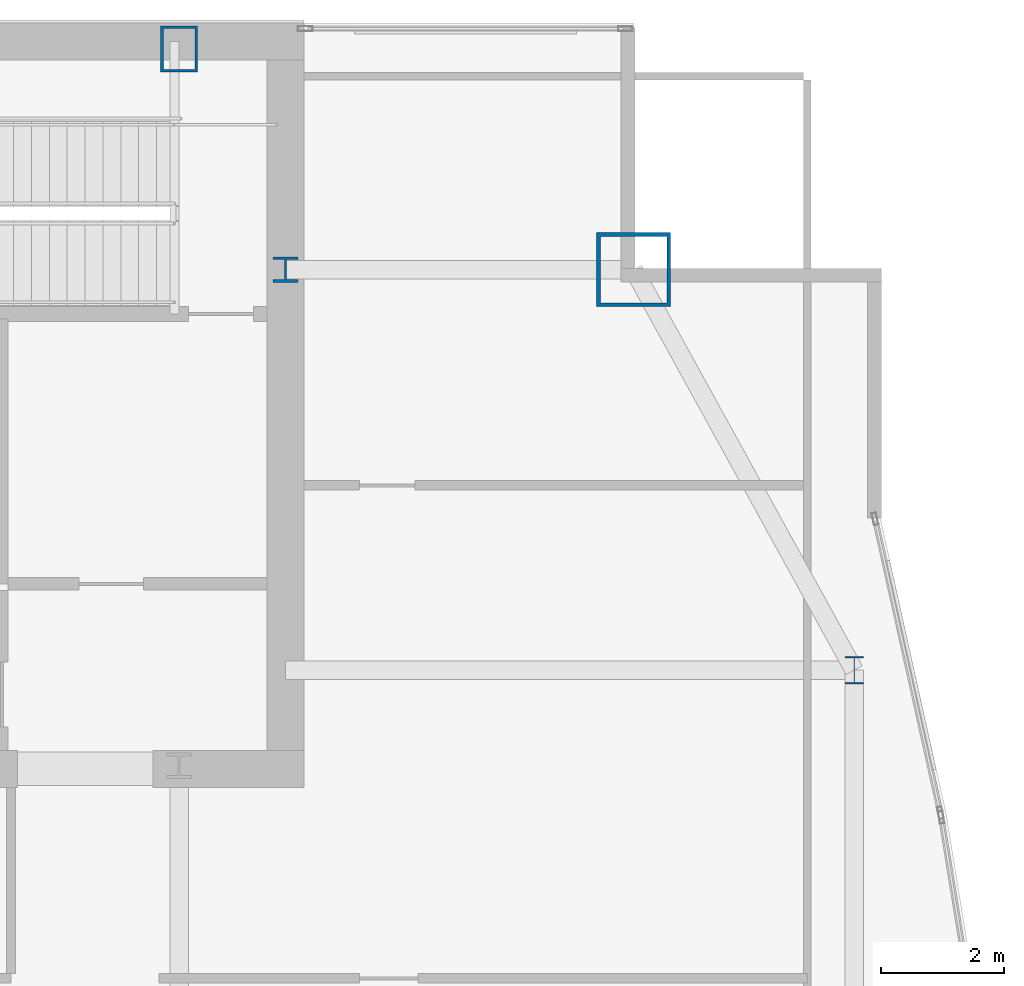
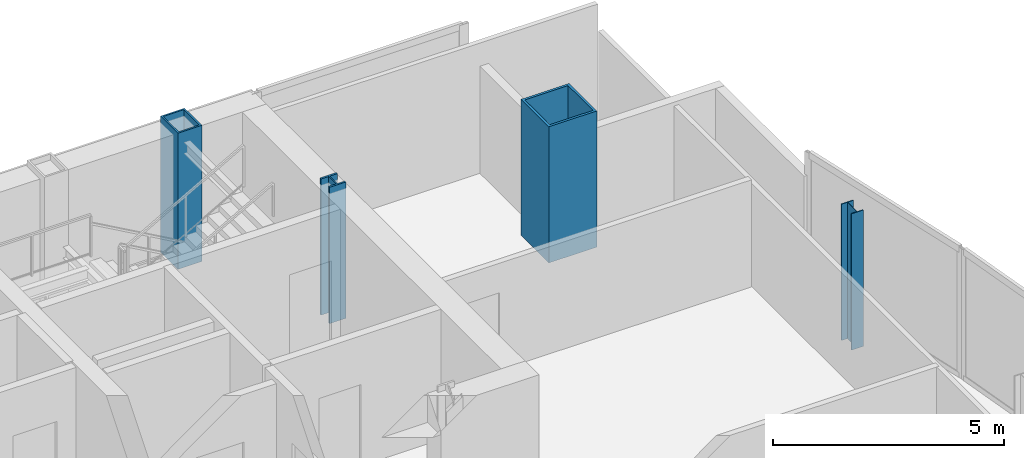
# One storey, part 4 of 30: 4 columns.
"""IFC4 building model written with IfcOpenShell, lengths in metres."""

import ifcopenshell
import ifcopenshell.guid

model = None  # the IFC model being written
_history = None  # IfcOwnerHistory: only IFC2X3 demands one
_inside = {}  # id of a spatial element -> (the spatial element, [elements in it])
_under = {}  # id of a project, library or spatial element -> (it, [spatial elements below it])
_declared = {}  # id of a project -> (the project, [libraries it declares])
_typed = {}  # id of a type object -> (the type object, [elements of that type])
_made_of = {}  # id of a material, layer set ... -> (it, [elements and type objects made of it])


def new_model(schema):
    """Start an empty IFC model of exactly this schema.

    Asked for "IFC4X3", IfcOpenShell would pick the latest addendum, in which some entities
    have other attributes; the version numbers below select the first issue.
    IFC2X3 requires an IfcOwnerHistory on every rooted entity: one is made here for all.
    """
    global model, _history
    if schema == "IFC4X3":
        model = ifcopenshell.file(schema_version=(4, 3, 0, 0))
    else:
        model = ifcopenshell.file(schema=schema)
    _inside.clear()
    _under.clear()
    _declared.clear()
    _typed.clear()
    _made_of.clear()
    _history = None
    if model.schema == "IFC2X3":
        org = make("IfcOrganization", Name="unknown")
        user = make(
            "IfcPersonAndOrganization",
            ThePerson=make("IfcPerson", FamilyName="unknown"),
            TheOrganization=org,
        )
        app = make(
            "IfcApplication",
            ApplicationDeveloper=org,
            Version="unknown",
            ApplicationFullName="unknown",
            ApplicationIdentifier="unknown",
        )
        _history = make(
            "IfcOwnerHistory",
            OwningUser=user,
            OwningApplication=app,
            ChangeAction="ADDED",
            CreationDate=0,
        )
    return model


def make(cls, **values):
    """One entity of the class cls with the attributes given. An attribute that is None is left unset."""
    return model.create_entity(
        cls, **{name: value for name, value in values.items() if value is not None}
    )


def rooted(cls, **values):
    """An entity with a GlobalId (a new one), such as an element, a storey or a relation."""
    return make(cls, GlobalId=ifcopenshell.guid.new(), OwnerHistory=_history, **values)


def si_unit(unit_type, name, prefix=None):
    """IfcSIUnit, for example si_unit("LENGTHUNIT", "METRE", prefix="MILLI")."""
    return make("IfcSIUnit", UnitType=unit_type, Prefix=prefix, Name=name)


def assignment(units):
    """IfcUnitAssignment: the units of a project."""
    return None if units is None else make("IfcUnitAssignment", Units=units)


def point(xyz):
    """IfcCartesianPoint."""
    return None if xyz is None else make("IfcCartesianPoint", Coordinates=xyz)


def direction(xyz):
    """IfcDirection."""
    return None if xyz is None else make("IfcDirection", DirectionRatios=xyz)


def frame(location, z_axis=None, x_axis=None):
    """IfcAxis2Placement3D, a coordinate frame: its origin and axes. An axis left out is left unset."""
    return make(
        "IfcAxis2Placement3D",
        Location=point(location),
        Axis=direction(z_axis),
        RefDirection=direction(x_axis),
    )


def frame_2d(location, x_axis=None):
    """IfcAxis2Placement2D, a coordinate frame in the plane: its origin and x axis."""
    return make(
        "IfcAxis2Placement2D", Location=point(location), RefDirection=direction(x_axis)
    )


def origin():
    """The frame at (0, 0, 0) with its axes left unset."""
    return frame((0.0, 0.0, 0.0))


def origin_2d():
    """The frame at (0, 0) in the plane with its x axis left unset."""
    return frame_2d((0.0, 0.0))


def place(relative_to, where):
    """IfcLocalPlacement: puts the frame where relative to a parent placement (None: the world)."""
    return make(
        "IfcLocalPlacement", PlacementRelTo=relative_to, RelativePlacement=where
    )


def context(
    kind, dimensions, precision=None, world=None, true_north=None, identifier=None
):
    """IfcGeometricRepresentationContext, for example the 3D "Model" context."""
    return make(
        "IfcGeometricRepresentationContext",
        ContextIdentifier=identifier,
        ContextType=kind,
        CoordinateSpaceDimension=dimensions,
        Precision=precision,
        WorldCoordinateSystem=world,
        TrueNorth=true_north,
    )


def subcontext(parent, identifier, kind, view, scale=None):
    """IfcGeometricRepresentationSubContext, for example "Body" below "Model"."""
    return make(
        "IfcGeometricRepresentationSubContext",
        ContextIdentifier=identifier,
        ContextType=kind,
        ParentContext=parent,
        TargetScale=scale,
        TargetView=view,
    )


def project(units=None, contexts=None):
    """IfcProject with its units and contexts."""
    return rooted(
        "IfcProject",
        Name="project",
        RepresentationContexts=contexts,
        UnitsInContext=assignment(units),
    )


def spatial(cls, under=None, at=None, **own):
    """A site, building, storey or space (cls), placed at a placement, below another one or the project."""
    s = rooted(cls, ObjectPlacement=at, **own)
    if under is not None:
        _under.setdefault(under.id(), (under, []))[1].append(s)
    return s


def profile(cls, at=None, kind="AREA", **sizes):
    """A parametric profile (cls). Its sizes go by their IFC names, for example OverallWidth=200.0."""
    return make(cls, ProfileType=kind, Position=at, **sizes)


def hollow_rectangle(**sizes):
    """IfcRectangleHollowProfileDef."""
    return profile("IfcRectangleHollowProfileDef", **sizes)


def i_section(**sizes):
    """IfcIShapeProfileDef."""
    return profile("IfcIShapeProfileDef", **sizes)


def extrude(swept, where, along, depth):
    """IfcExtrudedAreaSolid: the profile swept, set in the frame where, extruded along a direction by depth."""
    return make(
        "IfcExtrudedAreaSolid",
        SweptArea=swept,
        Position=where,
        ExtrudedDirection=direction(along),
        Depth=depth,
    )


def shape(context_of_items, identifier, shape_type, items):
    """IfcShapeRepresentation: the items that make up one representation, for example the "Body"."""
    return make(
        "IfcShapeRepresentation",
        ContextOfItems=context_of_items,
        RepresentationIdentifier=identifier,
        RepresentationType=shape_type,
        Items=items,
    )


def material(Name=None, Category=None):
    """IfcMaterial."""
    return make("IfcMaterial", Name=Name, Category=Category)


def material_profile(
    of_material, cross_section, Name=None, Category=None, Priority=None
):
    """IfcMaterialProfile: a cross section and its material."""
    return make(
        "IfcMaterialProfile",
        Name=Name,
        Material=of_material,
        Profile=cross_section,
        Priority=Priority,
        Category=Category,
    )


def profile_set(profiles, Name=None, composite=None):
    """IfcMaterialProfileSet."""
    return make(
        "IfcMaterialProfileSet",
        Name=Name,
        MaterialProfiles=profiles,
        CompositeProfile=composite,
    )


def made_of(thing, what):
    """Note that an element or type object is made of a material, layer set ...; save() writes the relation."""
    if what is not None:
        _made_of.setdefault(what.id(), (what, []))[1].append(thing)
    return thing


def type_object(cls, material=None, **own):
    """A type object (cls), such as IfcWallType, which elements share."""
    return made_of(rooted(cls, **own), material)


def element(
    cls,
    number,
    at=None,
    inside=None,
    cuts=None,
    type_object=None,
    material=None,
    context=None,
    identifier="Body",
    shape_type=None,
    held_by="IfcProductDefinitionShape",
    body=None,
    shapes=None,
    **own,
):
    """One element of the class cls, such as IfcWall. Its Tag is "e" and its number.

    at: its placement. inside: the storey or other place that contains it. cuts: it is an
    opening in that element (IfcRelVoidsElement). A single representation is given by context,
    identifier, shape_type and body (its items); several are given by shapes. held_by: the class
    of the entity that holds the representations. save() writes the other relations.
    """
    e = rooted(cls, Tag="e%d" % number, ObjectPlacement=at, **own)
    if body is not None:
        shapes = [shape(context, identifier, shape_type, body)]
    if shapes is not None:
        e.Representation = make(held_by, Representations=shapes)
    if inside is not None:
        _inside.setdefault(inside.id(), (inside, []))[1].append(e)
    if cuts is not None:
        rooted(
            "IfcRelVoidsElement", RelatingBuildingElement=cuts, RelatedOpeningElement=e
        )
    if type_object is not None:
        _typed.setdefault(type_object.id(), (type_object, []))[1].append(e)
    return made_of(e, material)


def aggregate(whole, parts):
    """IfcRelAggregates: a whole, such as a stair, and the parts it consists of."""
    return rooted("IfcRelAggregates", RelatingObject=whole, RelatedObjects=parts)


def save(model, path):
    """Write the relations noted so far, then the file.

    IfcRelAggregates (storeys below a building ...), IfcRelContainedInSpatialStructure (elements
    in a storey), IfcRelDefinesByType, IfcRelAssociatesMaterial and IfcRelDeclares: one each for
    every whole, place, type object, material and project.
    """
    for whole, parts in _under.values():
        aggregate(whole, parts)
    for where, things in _inside.values():
        rooted(
            "IfcRelContainedInSpatialStructure",
            RelatedElements=things,
            RelatingStructure=where,
        )
    for kind, things in _typed.values():
        rooted("IfcRelDefinesByType", RelatedObjects=things, RelatingType=kind)
    for what, things in _made_of.values():
        rooted("IfcRelAssociatesMaterial", RelatedObjects=things, RelatingMaterial=what)
    for by, libraries in _declared.values():
        rooted("IfcRelDeclares", RelatingContext=by, RelatedDefinitions=libraries)
    model.write(path)


model = new_model("IFC4")

# Units and contexts
model_context = context("Model", 3, precision=1e-05, world=origin(), true_north=direction((0.0, 1.0)))
body_context = subcontext(model_context, "Body", "Model", "MODEL_VIEW")
ifc_project = project(units=[si_unit("LENGTHUNIT", "METRE"), si_unit("AREAUNIT", "SQUARE_METRE"), si_unit("VOLUMEUNIT", "CUBIC_METRE"), si_unit("PLANEANGLEUNIT", "RADIAN"), si_unit("MASSUNIT", "GRAM", prefix="KILO")], contexts=[model_context])

# Site, building, storey
site_placement = place(None, origin())
site = spatial("IfcSite", under=ifc_project, at=site_placement, CompositionType="ELEMENT")
building_placement = place(site_placement, origin())
building = spatial("IfcBuilding", under=site, at=building_placement, Name="Khoronbel Lancet Exchange", CompositionType="ELEMENT")
storey_placement = place(building_placement, frame((0.0, 0.0, 213.800048828125)))
storey = spatial("IfcBuildingStorey", under=building, at=storey_placement, Name="L54", CompositionType="ELEMENT", Elevation=213.800048828125)

# Columns
ifc_material_1 = material(Name="Steel S460", Category="steel")
ifc_material_profile_1 = material_profile(ifc_material_1, hollow_rectangle(XDim=0.60009765625, YDim=0.75, WallThickness=0.044921875, at=origin_2d()), Name="BOX 750x600x45")
ifc_profile_set_1 = profile_set([ifc_material_profile_1], Name="Steel S460")
column_type_1 = type_object("IfcColumnType", Name="COL-EC3", PredefinedType="COLUMN", material=ifc_profile_set_1)
column_1_placement = place(storey_placement, frame((54.675048828125, 53.280029296875, 0.0), z_axis=(0.0, 0.0, 1.0), x_axis=(1.0, 0.0, 0.0)))
element("IfcColumn", 1, at=column_1_placement, inside=storey, type_object=column_type_1, Name="Structural column NC-E2 L54", PredefinedType="COLUMN", context=body_context, shape_type="SweptSolid", body=[
    extrude(hollow_rectangle(XDim=0.60009765625, YDim=0.75, WallThickness=0.044921875, at=origin_2d()), origin(), (0.0, 0.0, 1.0), 3.599853515625),
])
ifc_material_2 = material(Name="Steel S355", Category="steel")
ifc_material_profile_2 = material_profile(ifc_material_2, i_section(OverallWidth=0.406005859375, OverallDepth=0.416015625, WebThickness=0.02978515625, FlangeThickness=0.048095703125, at=origin_2d()), Name="HD 400x382")
ifc_profile_set_2 = profile_set([ifc_material_profile_2], Name="Steel S355")
column_type_2 = type_object("IfcColumnType", Name="COL-IC3", PredefinedType="COLUMN", material=ifc_profile_set_2)
column_2_placement = place(storey_placement, frame((56.39990234375, 49.699951171875, 0.0), z_axis=(0.0, 0.0, 1.0), x_axis=(1.0, 0.0, 0.0)))
element("IfcColumn", 2, at=column_2_placement, inside=storey, type_object=column_type_2, Name="Core-flank plumb transfer column CFE L54", PredefinedType="COLUMN", context=body_context, shape_type="SweptSolid", body=[
    extrude(i_section(OverallWidth=0.406005859375, OverallDepth=0.416015625, WebThickness=0.02978515625, FlangeThickness=0.048095703125, at=origin_2d()), origin(), (0.0, 0.0, 1.0), 3.599853515625),
])
ifc_material_profile_3 = material_profile(ifc_material_2, i_section(OverallWidth=0.300048828125, OverallDepth=0.449951171875, WebThickness=0.013916015625, FlangeThickness=0.02587890625, at=origin_2d()), Name="HEB 450")
ifc_profile_set_3 = profile_set([ifc_material_profile_3], Name="Steel S355")
column_type_3 = type_object("IfcColumnType", Name="COL-LC2", PredefinedType="COLUMN", material=ifc_profile_set_3)
column_3_placement = place(storey_placement, frame((65.6298828125, 43.199951171875, 0.0), z_axis=(0.0, 0.0, 1.0), x_axis=(1.0, 0.0, 0.0)))
element("IfcColumn", 3, at=column_3_placement, inside=storey, type_object=column_type_3, Name="Structural column EC-4 L54", PredefinedType="COLUMN", context=body_context, shape_type="SweptSolid", body=[
    extrude(i_section(OverallWidth=0.300048828125, OverallDepth=0.449951171875, WebThickness=0.013916015625, FlangeThickness=0.02587890625, at=origin_2d()), origin(), (0.0, 0.0, 1.0), 3.599853515625),
])
ifc_material_profile_4 = material_profile(ifc_material_1, hollow_rectangle(XDim=1.199951171875, YDim=1.199951171875, WallThickness=0.06005859375, at=origin_2d()), Name="BOX 1200x1200x60")
ifc_profile_set_4 = profile_set([ifc_material_profile_4], Name="Steel S460")
column_type_4 = type_object("IfcColumnType", Name="COL-MC5", PredefinedType="COLUMN", material=ifc_profile_set_4)
column_4_placement = place(storey_placement, frame((62.050048828125, 49.699951171875, 0.0), z_axis=(0.0, 0.0, 1.0), x_axis=(1.0, 0.0, 0.0)))
element("IfcColumn", 4, at=column_4_placement, inside=storey, type_object=column_type_4, Name="Structural column MC-NE L54", PredefinedType="COLUMN", context=body_context, shape_type="SweptSolid", body=[
    extrude(hollow_rectangle(XDim=1.199951171875, YDim=1.199951171875, WallThickness=0.06005859375, at=origin_2d()), origin(), (0.0, 0.0, 1.0), 3.599853515625),
])

save(model, "model.ifc")
